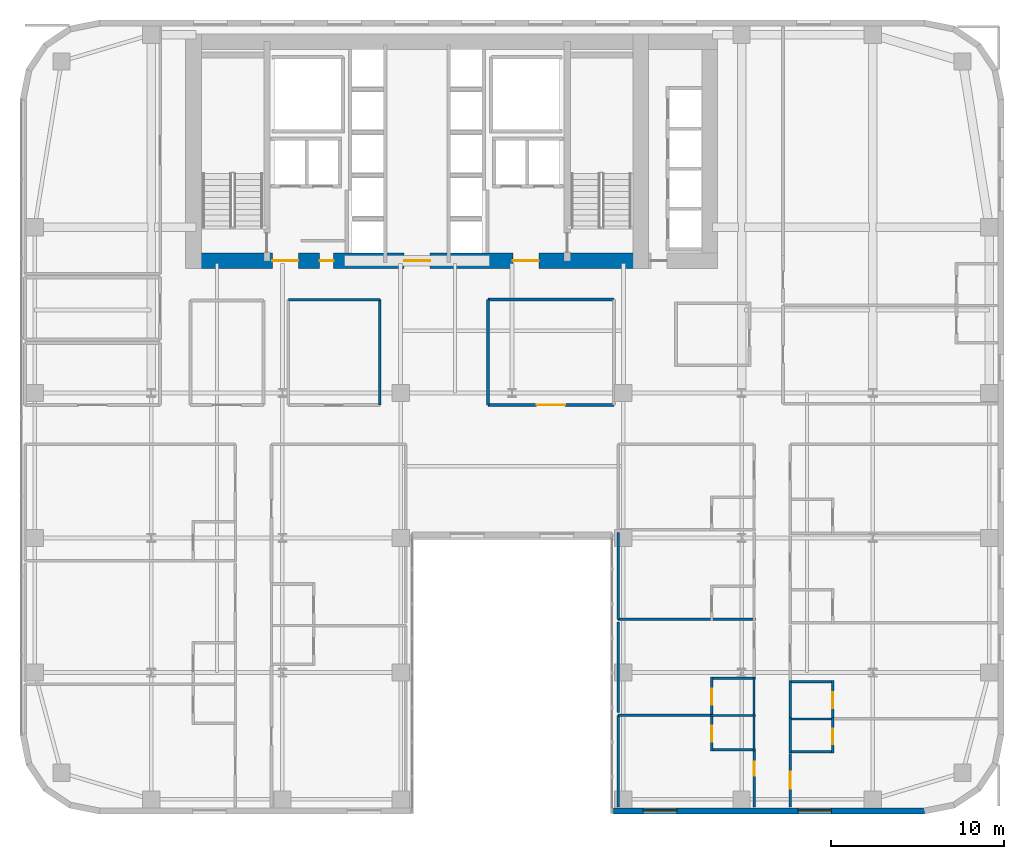
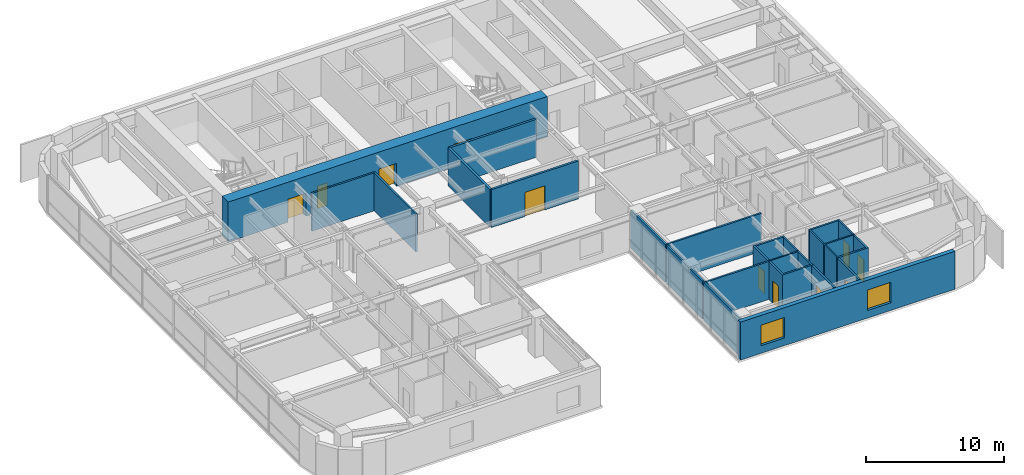
# One storey, part 25 of 30: 28 walls, 11 doors, 2 windows, 13 openings.
"""IFC4 building model written with IfcOpenShell, lengths in metres."""

from ifc_helpers import new_model, si_unit, direction, frame, frame_2d, origin, place, context, subcontext, project, spatial, rectangle, extrude, source, transform, mapped, material, layer, layer_set, type_object, type_shapes, element, fill, save


model = new_model("IFC4")

# Units and contexts
model_context = context("Model", 3, precision=1e-05, world=origin(), true_north=direction((0.0, 1.0)))
body_context = subcontext(model_context, "Body", "Model", "MODEL_VIEW")
ifc_project = project(units=[si_unit("LENGTHUNIT", "METRE"), si_unit("AREAUNIT", "SQUARE_METRE"), si_unit("VOLUMEUNIT", "CUBIC_METRE"), si_unit("PLANEANGLEUNIT", "RADIAN"), si_unit("MASSUNIT", "GRAM", prefix="KILO")], contexts=[model_context])

# Site, building, storey
site_placement = place(None, origin())
site = spatial("IfcSite", under=ifc_project, at=site_placement, CompositionType="ELEMENT")
building_placement = place(site_placement, origin())
building = spatial("IfcBuilding", under=site, at=building_placement, Name="Tolvann Quenvar Hotel", CompositionType="ELEMENT")
storey_placement = place(building_placement, frame((0.0, 0.0, 56.85009765625)))
storey = spatial("IfcBuildingStorey", under=building, at=storey_placement, Name="L13", CompositionType="ELEMENT", Elevation=56.85009765625)

# Wall, openings, doors
ifc_material_1 = material(Name="Concrete S80 (80 MPa)", Category="concrete")
ifc_layer_1 = layer(ifc_material_1, 0.89990234375)
ifc_layer_set_1 = layer_set([ifc_layer_1], Name="Concrete S80 (80 MPa)")
wall_type_1 = type_object("IfcWallType", Name="WALL_CORE_900", PredefinedType="SHEAR", material=ifc_layer_set_1)
wall_1_placement = place(storey_placement, frame((9.60009765625, 32.050048828125, 0.0), z_axis=(0.0, 0.0, 1.0), x_axis=(1.0, 0.0, 0.0)))
wall_1 = element("IfcWall", 1, at=wall_1_placement, inside=storey, type_object=wall_type_1, Name="Rear Core S Shear Wall (L13)", PredefinedType="SHEAR", context=body_context, shape_type="SweptSolid", body=[
    extrude(rectangle(XDim=26.7998046875, YDim=0.89990234375, at=frame_2d((13.39990234375, 0.0))), origin(), (0.0, 0.0, 1.0), 3.5498046875),
])
opening_1_placement = place(wall_1_placement, frame((6.52001953125, 0.0, 0.0), z_axis=(0.0, 0.0, 1.0), x_axis=(-1.0, 0.0, 0.0)))
opening_1 = element("IfcOpeningElement", 2, at=opening_1_placement, cuts=wall_1, Name="Opening FD-60D", PredefinedType="OPENING", context=body_context, shape_type="SweptSolid", body=[
    extrude(rectangle(XDim=1.5, YDim=2.0400390625, at=frame_2d((0.75, 1.02001953125))), frame((0.0, 0.4599609375, 0.0), z_axis=(0.0, -1.0, 0.0), x_axis=(1.0, 0.0, 0.0)), (0.0, 0.0, 1.0), 0.919921875),
])
opening_2_placement = place(wall_1_placement, frame((14.14990234375, 0.0, 0.0), z_axis=(0.0, 0.0, 1.0), x_axis=(-1.0, 0.0, 0.0)))
opening_2 = element("IfcOpeningElement", 3, at=opening_2_placement, cuts=wall_1, Name="Opening FD-60D", PredefinedType="OPENING", context=body_context, shape_type="SweptSolid", body=[
    extrude(rectangle(XDim=1.5, YDim=2.0400390625, at=frame_2d((0.75, 1.02001953125))), frame((0.0, 0.4599609375, 0.0), z_axis=(0.0, -1.0, 0.0), x_axis=(1.0, 0.0, 0.0)), (0.0, 0.0, 1.0), 0.919921875),
])
opening_3_placement = place(wall_1_placement, frame((20.449951171875, 0.0, 0.0), z_axis=(0.0, 0.0, 1.0), x_axis=(-1.0, 0.0, 0.0)))
opening_3 = element("IfcOpeningElement", 4, at=opening_3_placement, cuts=wall_1, Name="Opening FD-60D", PredefinedType="OPENING", context=body_context, shape_type="SweptSolid", body=[
    extrude(rectangle(XDim=1.5, YDim=2.0400390625, at=frame_2d((0.75, 1.02001953125))), frame((0.0, 0.4599609375, 0.0), z_axis=(0.0, -1.0, 0.0), x_axis=(1.0, 0.0, 0.0)), (0.0, 0.0, 1.0), 0.919921875),
])
opening_4_placement = place(wall_1_placement, frame((8.570068359375, 0.0, 0.0), z_axis=(0.0, 0.0, 1.0), x_axis=(-1.0, 0.0, 0.0)))
opening_4 = element("IfcOpeningElement", 5, at=opening_4_placement, cuts=wall_1, Name="Opening HD-02", PredefinedType="OPENING", context=body_context, shape_type="SweptSolid", body=[
    extrude(rectangle(XDim=0.820068359375, YDim=2.010009765625, at=frame_2d((0.41015625, 1.0048828125))), frame((0.0, 0.4599609375, 0.0), z_axis=(0.0, -1.0, 0.0), x_axis=(1.0, 0.0, 0.0)), (0.0, 0.0, 1.0), 0.919921875),
])
ifc_material_2 = material(Name="Solid-core American oak acoustic fire door leaf in steel frame", Category="steel")
door_type_1 = type_object("IfcDoorType", Name="DOOR_FIRE_LOBBY_1500", OperationType="NOTDEFINED", PredefinedType="DOOR", material=ifc_material_2)
shared_shape_1 = source(origin(), body_context, "Body", "SweptSolid", [
    extrude(rectangle(XDim=1.5, YDim=2.0400390625, at=frame_2d((0.75, 1.02001953125))), frame((0.0, 0.02490234375, 0.0), z_axis=(0.0, -1.0, 0.0), x_axis=(1.0, 0.0, 0.0)), (0.0, 0.0, 1.0), 0.050048828125),
])
type_shapes(door_type_1, [shared_shape_1])
door_1_placement = place(opening_1_placement, origin())
door_1 = element("IfcDoor", 6, at=door_1_placement, inside=storey, type_object=door_type_1, Name="Core Lobby Fire Door FFW (L13)", OperationType="DOUBLE_DOOR_SINGLE_SWING", OverallHeight=2.0400390625, OverallWidth=1.5, PredefinedType="DOOR", context=body_context, shape_type="MappedRepresentation", body=[
    mapped(shared_shape_1, transform((0.0, 0.0, 0.0), x_axis=(1.0, 0.0, 0.0), y_axis=(0.0, 1.0, 0.0), z_axis=(0.0, 0.0, 1.0), scale=1.0)),
])
fill(opening_1, door_1)
door_2_placement = place(opening_2_placement, origin())
door_2 = element("IfcDoor", 7, at=door_2_placement, inside=storey, type_object=door_type_1, Name="Core Lobby Fire Door CLOB (L13)", OperationType="DOUBLE_DOOR_SINGLE_SWING", OverallHeight=2.0400390625, OverallWidth=1.5, PredefinedType="DOOR", context=body_context, shape_type="MappedRepresentation", body=[
    mapped(shared_shape_1, transform((0.0, 0.0, 0.0), x_axis=(1.0, 0.0, 0.0), y_axis=(0.0, 1.0, 0.0), z_axis=(0.0, 0.0, 1.0), scale=1.0)),
])
fill(opening_2, door_2)
door_3_placement = place(opening_3_placement, origin())
door_3 = element("IfcDoor", 8, at=door_3_placement, inside=storey, type_object=door_type_1, Name="Core Lobby Fire Door FFE (L13)", OperationType="DOUBLE_DOOR_SINGLE_SWING", OverallHeight=2.0400390625, OverallWidth=1.5, PredefinedType="DOOR", context=body_context, shape_type="MappedRepresentation", body=[
    mapped(shared_shape_1, transform((0.0, 0.0, 0.0), x_axis=(1.0, 0.0, 0.0), y_axis=(0.0, 1.0, 0.0), z_axis=(0.0, 0.0, 1.0), scale=1.0)),
])
fill(opening_3, door_3)
ifc_material_3 = material(Name="Pressed galvanised steel fire-rated door set", Category="steel")
door_type_2 = type_object("IfcDoorType", Name="DOOR_STORE_820", OperationType="NOTDEFINED", PredefinedType="DOOR", material=ifc_material_3)
shared_shape_2 = source(origin(), body_context, "Body", "SweptSolid", [
    extrude(rectangle(XDim=0.820068359375, YDim=2.010009765625, at=frame_2d((0.41015625, 1.0048828125))), frame((0.0, 0.02490234375, 0.0), z_axis=(0.0, -1.0, 0.0), x_axis=(1.0, 0.0, 0.0)), (0.0, 0.0, 1.0), 0.050048828125),
])
type_shapes(door_type_2, [shared_shape_2])
door_4_placement = place(opening_4_placement, origin())
door_4 = element("IfcDoor", 9, at=door_4_placement, inside=storey, type_object=door_type_2, Name="Core Linen Store Fire Door (L13)", OperationType="SINGLE_SWING_LEFT", OverallHeight=2.010009765625, OverallWidth=0.820068359375, PredefinedType="DOOR", context=body_context, shape_type="MappedRepresentation", body=[
    mapped(shared_shape_2, transform((0.0, 0.0, 0.0), x_axis=(1.0, 0.0, 0.0), y_axis=(0.0, 1.0, 0.0), z_axis=(0.0, 0.0, 1.0), scale=1.0)),
])
fill(opening_4, door_4)

# Wall, openings, windows
ifc_material_4 = material(Name="Kiln-fired red and buff architectural clay brickwork and terracotta masonry", Category="masonry")
ifc_layer_2 = layer(ifc_material_4, 0.35009765625)
ifc_layer_set_2 = layer_set([ifc_layer_2], Name="Kiln-fired red and buff architectural clay brickwork and terracotta masonry")
wall_type_2 = type_object("IfcWallType", Name="WALL_EXT_BRICK_350", PredefinedType="SOLIDWALL", material=ifc_layer_set_2)
wall_2_placement = place(storey_placement, frame((34.375, 0.175048828125, 0.0), z_axis=(0.0, 0.0, 1.0), x_axis=(1.0, 0.0, 0.0)))
wall_2 = element("IfcWall", 10, at=wall_2_placement, inside=storey, type_object=wall_type_2, Name="Exterior Chicago Brick Wall L13-E08", PredefinedType="SOLIDWALL", context=body_context, shape_type="SweptSolid", body=[
    extrude(rectangle(XDim=18.0078125, YDim=0.35009765625, at=frame_2d((9.00390625, 0.0))), origin(), (0.0, 0.0, 1.0), 3.369873046875),
])
opening_5_placement = place(wall_2_placement, frame((1.72607421875, 0.0, 0.679931640625)))
opening_5 = element("IfcOpeningElement", 11, at=opening_5_placement, cuts=wall_2, Name="Opening W-10", PredefinedType="OPENING", context=body_context, shape_type="SweptSolid", body=[
    extrude(rectangle(XDim=1.949951171875, YDim=1.820068359375, at=frame_2d((0.97509765625, 0.91015625))), frame((0.0, 0.18505859375, 0.0), z_axis=(0.0, -1.0, 0.0), x_axis=(1.0, 0.0, 0.0)), (0.0, 0.0, 1.0), 0.3701171875),
])
opening_6_placement = place(wall_2_placement, frame((10.679931640625, 0.0, 0.679931640625)))
opening_6 = element("IfcOpeningElement", 12, at=opening_6_placement, cuts=wall_2, Name="Opening W-10", PredefinedType="OPENING", context=body_context, shape_type="SweptSolid", body=[
    extrude(rectangle(XDim=1.949951171875, YDim=1.820068359375, at=frame_2d((0.97509765625, 0.91015625))), frame((0.0, 0.18505859375, 0.0), z_axis=(0.0, -1.0, 0.0), x_axis=(1.0, 0.0, 0.0)), (0.0, 0.0, 1.0), 0.3701171875),
])
ifc_material_5 = material(Name="Thermally broken bronze-anodised aluminium frame with double low-E glazing", Category="aluminium")
window_type = type_object("IfcWindowType", Name="WIN_CLB_1950x1850", PartitioningType="DOUBLE_PANEL_VERTICAL", PredefinedType="WINDOW", material=ifc_material_5)
shared_shape_3 = source(origin(), body_context, "Body", "SweptSolid", [
    extrude(rectangle(XDim=1.949951171875, YDim=1.820068359375, at=frame_2d((0.97509765625, 0.91015625))), frame((0.0, 0.090087890625, 0.0), z_axis=(0.0, -1.0, 0.0), x_axis=(1.0, 0.0, 0.0)), (0.0, 0.0, 1.0), 0.06005859375),
])
type_shapes(window_type, [shared_shape_3])
window_1_placement = place(opening_5_placement, origin())
window_1 = element("IfcWindow", 13, at=window_1_placement, inside=storey, type_object=window_type, Name="Chicago Window W-10 (EW-L13-E08-W01)", OverallHeight=1.820068359375, OverallWidth=1.949951171875, PartitioningType="DOUBLE_PANEL_VERTICAL", PredefinedType="WINDOW", context=body_context, shape_type="MappedRepresentation", body=[
    mapped(shared_shape_3, transform((0.0, 0.0, 0.0), x_axis=(1.0, 0.0, 0.0), y_axis=(0.0, 1.0, 0.0), z_axis=(0.0, 0.0, 1.0), scale=1.0)),
])
fill(opening_5, window_1)
window_2_placement = place(opening_6_placement, origin())
window_2 = element("IfcWindow", 14, at=window_2_placement, inside=storey, type_object=window_type, Name="Chicago Window W-10 (EW-L13-E08-W02)", OverallHeight=1.820068359375, OverallWidth=1.949951171875, PartitioningType="DOUBLE_PANEL_VERTICAL", PredefinedType="WINDOW", context=body_context, shape_type="MappedRepresentation", body=[
    mapped(shared_shape_3, transform((0.0, 0.0, 0.0), x_axis=(1.0, 0.0, 0.0), y_axis=(0.0, 1.0, 0.0), z_axis=(0.0, 0.0, 1.0), scale=1.0)),
])
fill(opening_6, window_2)

# Wall, opening, door
ifc_material_6 = material(Name="Acoustic twin-stud fire-rated gypsum plasterboard partition")
ifc_layer_3 = layer(ifc_material_6, 0.179931640625)
ifc_layer_set_3 = layer_set([ifc_layer_3], Name="Acoustic twin-stud fire-rated gypsum plasterboard partition")
wall_type_3 = type_object("IfcWallType", Name="WALL_PART_ACOUSTIC_180", PredefinedType="PARTITIONING", material=ifc_layer_set_3)
wall_3_placement = place(storey_placement, frame((27.10009765625, 23.699951171875, 0.0), z_axis=(0.0, 0.0, 1.0), x_axis=(1.0, 0.0, 0.0)))
wall_3 = element("IfcWall", 15, at=wall_3_placement, inside=storey, type_object=wall_type_3, Name="Interior Partition PT-SPC-L13-MSP-C-S", PredefinedType="PARTITIONING", context=body_context, shape_type="SweptSolid", body=[
    extrude(rectangle(XDim=7.2998046875, YDim=0.179931640625, at=frame_2d((3.64990234375, 0.0))), origin(), (0.0, 0.0, 1.0), 3.369873046875),
])
opening_7_placement = place(wall_3_placement, frame((2.824951171875, 0.0, 0.0)))
opening_7 = element("IfcOpeningElement", 16, at=opening_7_placement, cuts=wall_3, Name="Opening AD-01", PredefinedType="OPENING", context=body_context, shape_type="SweptSolid", body=[
    extrude(rectangle(XDim=1.64990234375, YDim=2.14990234375, at=frame_2d((0.824951171875, 1.074951171875))), frame((0.0, 0.10009765625, 0.0), z_axis=(0.0, -1.0, 0.0), x_axis=(1.0, 0.0, 0.0)), (0.0, 0.0, 1.0), 0.199951171875),
])
door_type_3 = type_object("IfcDoorType", Name="DOOR_SALON_1650", OperationType="NOTDEFINED", PredefinedType="DOOR", material=ifc_material_2)
shared_shape_4 = source(origin(), body_context, "Body", "SweptSolid", [
    extrude(rectangle(XDim=1.64990234375, YDim=2.14990234375, at=frame_2d((0.824951171875, 1.074951171875))), frame((0.0, 0.02490234375, 0.0), z_axis=(0.0, -1.0, 0.0), x_axis=(1.0, 0.0, 0.0)), (0.0, 0.0, 1.0), 0.050048828125),
])
type_shapes(door_type_3, [shared_shape_4])
door_5_placement = place(opening_7_placement, origin())
door_5 = element("IfcDoor", 17, at=door_5_placement, inside=storey, type_object=door_type_3, Name="Interior Door DOOR-SPC-L13-MSP-C", OperationType="DOUBLE_DOOR_SINGLE_SWING", OverallHeight=2.14990234375, OverallWidth=1.64990234375, PredefinedType="DOOR", context=body_context, shape_type="MappedRepresentation", body=[
    mapped(shared_shape_4, transform((0.0, 0.0, 0.0), x_axis=(1.0, 0.0, 0.0), y_axis=(0.0, 1.0, 0.0), z_axis=(0.0, 0.0, 1.0), scale=1.0)),
])
fill(opening_7, door_5)

# Walls
wall_4_placement = place(storey_placement, frame((27.10009765625, 29.800048828125, 0.0), z_axis=(0.0, 0.0, 1.0), x_axis=(1.0, 0.0, 0.0)))
element("IfcWall", 18, at=wall_4_placement, inside=storey, type_object=wall_type_3, Name="Interior Partition PT-SPC-L13-MSP-C-N", PredefinedType="PARTITIONING", context=body_context, shape_type="SweptSolid", body=[
    extrude(rectangle(XDim=7.2998046875, YDim=0.179931640625, at=frame_2d((3.64990234375, 0.0))), origin(), (0.0, 0.0, 1.0), 3.369873046875),
])
wall_5_placement = place(storey_placement, frame((27.10009765625, 23.699951171875, 0.0), z_axis=(0.0, 0.0, 1.0), x_axis=(0.0, 1.0, 0.0)))
element("IfcWall", 19, at=wall_5_placement, inside=storey, type_object=wall_type_3, Name="Interior Partition PT-SPC-L13-MSP-C-W", PredefinedType="PARTITIONING", context=body_context, shape_type="SweptSolid", body=[
    extrude(rectangle(XDim=6.10009765625, YDim=0.179931640625, at=frame_2d((3.050048828125, 0.0))), origin(), (0.0, 0.0, 1.0), 3.369873046875),
])
ifc_material_7 = material(Name="Moisture-resistant acoustic plumbing wall assembly")
ifc_layer_4 = layer(ifc_material_7, 0.1201171875)
ifc_layer_set_4 = layer_set([ifc_layer_4], Name="Moisture-resistant acoustic plumbing wall assembly")
wall_type_4 = type_object("IfcWallType", Name="WALL_PART_BATH_120", PredefinedType="PLUMBINGWALL", material=ifc_layer_set_4)
wall_6_placement = place(storey_placement, frame((40.010009765625, 5.719970703125, 0.0), z_axis=(0.0, 0.0, 1.0), x_axis=(1.0, 0.0, 0.0)))
element("IfcWall", 20, at=wall_6_placement, inside=storey, type_object=wall_type_4, Name="Non-Rated Plumbing Partition PT-SPC-L13-ENS-EI01-N", PredefinedType="PLUMBINGWALL", context=body_context, shape_type="SweptSolid", body=[
    extrude(rectangle(XDim=2.590087890625, YDim=0.1201171875, at=frame_2d((1.294921875, 0.0))), origin(), (0.0, 0.0, 1.0), 3.369873046875),
])
wall_7_placement = place(storey_placement, frame((42.530029296875, 3.658935546875, 0.0), z_axis=(0.0, 0.0, 1.0), x_axis=(0.0, 1.0, 0.0)))
element("IfcWall", 21, at=wall_7_placement, inside=storey, type_object=wall_type_4, Name="Non-Rated Plumbing Partition PT-SPC-L13-ENS-EI01-E", PredefinedType="PLUMBINGWALL", context=body_context, shape_type="SweptSolid", body=[
    extrude(rectangle(XDim=2.131103515625, YDim=0.1201171875, at=frame_2d((1.0654296875, 0.0))), origin(), (0.0, 0.0, 1.0), 3.369873046875),
])
wall_8_placement = place(storey_placement, frame((42.530029296875, 5.81005859375, 0.0), z_axis=(0.0, 0.0, 1.0), x_axis=(0.0, 1.0, 0.0)))
element("IfcWall", 22, at=wall_8_placement, inside=storey, type_object=wall_type_4, Name="Non-Rated Plumbing Partition PT-SPC-L13-ENS-EI02-E", PredefinedType="PLUMBINGWALL", context=body_context, shape_type="SweptSolid", body=[
    extrude(rectangle(XDim=2.130859375, YDim=0.1201171875, at=frame_2d((1.0654296875, 0.0))), origin(), (0.0, 0.0, 1.0), 3.369873046875),
])
wall_9_placement = place(storey_placement, frame((44.550048828125, 5.52001953125, 0.0), z_axis=(0.0, 0.0, 1.0), x_axis=(1.0, 0.0, 0.0)))
element("IfcWall", 23, at=wall_9_placement, inside=storey, type_object=wall_type_4, Name="Non-Rated Plumbing Partition PT-SPC-L13-ENS-EO01-N", PredefinedType="PLUMBINGWALL", context=body_context, shape_type="SweptSolid", body=[
    extrude(rectangle(XDim=2.58984375, YDim=0.1201171875, at=frame_2d((1.294921875, 0.0))), origin(), (0.0, 0.0, 1.0), 3.369873046875),
])
wall_10_placement = place(storey_placement, frame((44.6201171875, 3.534912109375, 0.0), z_axis=(0.0, 0.0, 1.0), x_axis=(0.0, 1.0, 0.0)))
element("IfcWall", 24, at=wall_10_placement, inside=storey, type_object=wall_type_4, Name="Non-Rated Plumbing Partition PT-SPC-L13-ENS-EO01-W", PredefinedType="PLUMBINGWALL", context=body_context, shape_type="SweptSolid", body=[
    extrude(rectangle(XDim=2.05517578125, YDim=0.1201171875, at=frame_2d((1.027587890625, 0.0))), origin(), (0.0, 0.0, 1.0), 3.369873046875),
])
wall_11_placement = place(storey_placement, frame((44.6201171875, 5.610107421875, 0.0), z_axis=(0.0, 0.0, 1.0), x_axis=(0.0, 1.0, 0.0)))
element("IfcWall", 25, at=wall_11_placement, inside=storey, type_object=wall_type_4, Name="Non-Rated Plumbing Partition PT-SPC-L13-ENS-EO02-W", PredefinedType="PLUMBINGWALL", context=body_context, shape_type="SweptSolid", body=[
    extrude(rectangle(XDim=2.130859375, YDim=0.1201171875, at=frame_2d((1.0654296875, 0.0))), origin(), (0.0, 0.0, 1.0), 3.369873046875),
])

# Wall, opening, door
ifc_layer_5 = layer(ifc_material_6, 0.14990234375)
ifc_layer_set_5 = layer_set([ifc_layer_5], Name="Acoustic twin-stud fire-rated gypsum plasterboard partition")
wall_type_5 = type_object("IfcWallType", Name="WALL_PART_SUITE_150", PredefinedType="PARTITIONING", material=ifc_layer_set_5)
wall_12_placement = place(storey_placement, frame((40.080078125, 3.658935546875, 0.0), z_axis=(0.0, 0.0, 1.0), x_axis=(0.0, 1.0, 0.0)))
wall_12 = element("IfcWall", 26, at=wall_12_placement, inside=storey, type_object=wall_type_5, Name="Interior Partition PT-SPC-L13-ENS-EI01-ENT", PredefinedType="PARTITIONING", context=body_context, shape_type="SweptSolid", body=[
    extrude(rectangle(XDim=2.131103515625, YDim=0.14990234375, at=frame_2d((1.0654296875, 0.0))), origin(), (0.0, 0.0, 1.0), 3.369873046875),
])
opening_8_placement = place(wall_12_placement, frame((0.535400390625, 0.0, 0.0)))
opening_8 = element("IfcOpeningElement", 27, at=opening_8_placement, cuts=wall_12, Name="Opening WD-01", PredefinedType="OPENING", context=body_context, shape_type="SweptSolid", body=[
    extrude(rectangle(XDim=0.919921875, YDim=2.010009765625, at=frame_2d((0.4599609375, 1.0048828125))), frame((0.0, 0.0849609375, 0.0), z_axis=(0.0, -1.0, 0.0), x_axis=(1.0, 0.0, 0.0)), (0.0, 0.0, 1.0), 0.169921875),
])
door_type_4 = type_object("IfcDoorType", Name="DOOR_WC_920", OperationType="NOTDEFINED", PredefinedType="DOOR", material=ifc_material_2)
shared_shape_5 = source(origin(), body_context, "Body", "SweptSolid", [
    extrude(rectangle(XDim=0.919921875, YDim=2.010009765625, at=frame_2d((0.4599609375, 1.0048828125))), frame((0.0, 0.02490234375, 0.0), z_axis=(0.0, -1.0, 0.0), x_axis=(1.0, 0.0, 0.0)), (0.0, 0.0, 1.0), 0.050048828125),
])
type_shapes(door_type_4, [shared_shape_5])
door_6_placement = place(opening_8_placement, origin())
door_6 = element("IfcDoor", 28, at=door_6_placement, inside=storey, type_object=door_type_4, Name="Interior Door DOOR-SPC-L13-ENS-EI01", OperationType="SINGLE_SWING_LEFT", OverallHeight=2.010009765625, OverallWidth=0.919921875, PredefinedType="DOOR", context=body_context, shape_type="MappedRepresentation", body=[
    mapped(shared_shape_5, transform((0.0, 0.0, 0.0), x_axis=(1.0, 0.0, 0.0), y_axis=(0.0, 1.0, 0.0), z_axis=(0.0, 0.0, 1.0), scale=1.0)),
])
fill(opening_8, door_6)

# Wall
wall_13_placement = place(storey_placement, frame((40.010009765625, 3.72900390625, 0.0), z_axis=(0.0, 0.0, 1.0), x_axis=(1.0, 0.0, 0.0)))
element("IfcWall", 29, at=wall_13_placement, inside=storey, type_object=wall_type_5, Name="Interior Partition PT-SPC-L13-ENS-EI01-S", PredefinedType="PARTITIONING", context=body_context, shape_type="SweptSolid", body=[
    extrude(rectangle(XDim=2.590087890625, YDim=0.14990234375, at=frame_2d((1.294921875, 0.0))), origin(), (0.0, 0.0, 1.0), 3.369873046875),
])

# Wall, opening, door
wall_14_placement = place(storey_placement, frame((40.080078125, 5.81005859375, 0.0), z_axis=(0.0, 0.0, 1.0), x_axis=(0.0, 1.0, 0.0)))
wall_14 = element("IfcWall", 30, at=wall_14_placement, inside=storey, type_object=wall_type_5, Name="Interior Partition PT-SPC-L13-ENS-EI02-ENT", PredefinedType="PARTITIONING", context=body_context, shape_type="SweptSolid", body=[
    extrude(rectangle(XDim=2.130859375, YDim=0.14990234375, at=frame_2d((1.0654296875, 0.0))), origin(), (0.0, 0.0, 1.0), 3.369873046875),
])
opening_9_placement = place(wall_14_placement, frame((0.535400390625, 0.0, 0.0)))
opening_9 = element("IfcOpeningElement", 31, at=opening_9_placement, cuts=wall_14, Name="Opening WD-01", PredefinedType="OPENING", context=body_context, shape_type="SweptSolid", body=[
    extrude(rectangle(XDim=0.919921875, YDim=2.010009765625, at=frame_2d((0.4599609375, 1.0048828125))), frame((0.0, 0.0849609375, 0.0), z_axis=(0.0, -1.0, 0.0), x_axis=(1.0, 0.0, 0.0)), (0.0, 0.0, 1.0), 0.169921875),
])
door_7_placement = place(opening_9_placement, origin())
door_7 = element("IfcDoor", 32, at=door_7_placement, inside=storey, type_object=door_type_4, Name="Interior Door DOOR-SPC-L13-ENS-EI02", OperationType="SINGLE_SWING_RIGHT", OverallHeight=2.010009765625, OverallWidth=0.919921875, PredefinedType="DOOR", context=body_context, shape_type="MappedRepresentation", body=[
    mapped(shared_shape_5, transform((0.0, 0.0, 0.0), x_axis=(1.0, 0.0, 0.0), y_axis=(0.0, 1.0, 0.0), z_axis=(0.0, 0.0, 1.0), scale=1.0)),
])
fill(opening_9, door_7)

# Walls
wall_15_placement = place(storey_placement, frame((40.010009765625, 7.87109375, 0.0), z_axis=(0.0, 0.0, 1.0), x_axis=(1.0, 0.0, 0.0)))
element("IfcWall", 33, at=wall_15_placement, inside=storey, type_object=wall_type_5, Name="Interior Partition PT-SPC-L13-ENS-EI02-N", PredefinedType="PARTITIONING", context=body_context, shape_type="SweptSolid", body=[
    extrude(rectangle(XDim=2.590087890625, YDim=0.14990234375, at=frame_2d((1.294921875, 0.0))), origin(), (0.0, 0.0, 1.0), 3.369873046875),
])
wall_16_placement = place(storey_placement, frame((34.64990234375, 11.280029296875, 0.0), z_axis=(0.0, 0.0, 1.0), x_axis=(1.0, 0.0, 0.0)))
element("IfcWall", 34, at=wall_16_placement, inside=storey, type_object=wall_type_5, Name="Interior Partition PT-SPC-L13-ENS-EI03-S", PredefinedType="PARTITIONING", context=body_context, shape_type="SweptSolid", body=[
    extrude(rectangle(XDim=7.9501953125, YDim=0.14990234375, at=frame_2d((3.97509765625, 0.0))), origin(), (0.0, 0.0, 1.0), 3.369873046875),
])

# Wall, opening, door
wall_17_placement = place(storey_placement, frame((47.070068359375, 3.534912109375, 0.0), z_axis=(0.0, 0.0, 1.0), x_axis=(0.0, 1.0, 0.0)))
wall_17 = element("IfcWall", 35, at=wall_17_placement, inside=storey, type_object=wall_type_5, Name="Interior Partition PT-SPC-L13-ENS-EO01-ENT", PredefinedType="PARTITIONING", context=body_context, shape_type="SweptSolid", body=[
    extrude(rectangle(XDim=2.05517578125, YDim=0.14990234375, at=frame_2d((1.027587890625, 0.0))), origin(), (0.0, 0.0, 1.0), 3.369873046875),
])
opening_10_placement = place(wall_17_placement, frame((0.49755859375, 0.0, 0.0)))
opening_10 = element("IfcOpeningElement", 36, at=opening_10_placement, cuts=wall_17, Name="Opening WD-01", PredefinedType="OPENING", context=body_context, shape_type="SweptSolid", body=[
    extrude(rectangle(XDim=0.919921875, YDim=2.010009765625, at=frame_2d((0.4599609375, 1.0048828125))), frame((0.0, 0.0849609375, 0.0), z_axis=(0.0, -1.0, 0.0), x_axis=(1.0, 0.0, 0.0)), (0.0, 0.0, 1.0), 0.169921875),
])
door_8_placement = place(opening_10_placement, origin())
door_8 = element("IfcDoor", 37, at=door_8_placement, inside=storey, type_object=door_type_4, Name="Interior Door DOOR-SPC-L13-ENS-EO01", OperationType="SINGLE_SWING_LEFT", OverallHeight=2.010009765625, OverallWidth=0.919921875, PredefinedType="DOOR", context=body_context, shape_type="MappedRepresentation", body=[
    mapped(shared_shape_5, transform((0.0, 0.0, 0.0), x_axis=(1.0, 0.0, 0.0), y_axis=(0.0, 1.0, 0.0), z_axis=(0.0, 0.0, 1.0), scale=1.0)),
])
fill(opening_10, door_8)

# Wall
wall_18_placement = place(storey_placement, frame((44.550048828125, 3.60498046875, 0.0), z_axis=(0.0, 0.0, 1.0), x_axis=(1.0, 0.0, 0.0)))
element("IfcWall", 38, at=wall_18_placement, inside=storey, type_object=wall_type_5, Name="Interior Partition PT-SPC-L13-ENS-EO01-S", PredefinedType="PARTITIONING", context=body_context, shape_type="SweptSolid", body=[
    extrude(rectangle(XDim=2.58984375, YDim=0.14990234375, at=frame_2d((1.294921875, 0.0))), origin(), (0.0, 0.0, 1.0), 3.369873046875),
])

# Wall, opening, door
wall_19_placement = place(storey_placement, frame((47.070068359375, 5.610107421875, 0.0), z_axis=(0.0, 0.0, 1.0), x_axis=(0.0, 1.0, 0.0)))
wall_19 = element("IfcWall", 39, at=wall_19_placement, inside=storey, type_object=wall_type_5, Name="Interior Partition PT-SPC-L13-ENS-EO02-ENT", PredefinedType="PARTITIONING", context=body_context, shape_type="SweptSolid", body=[
    extrude(rectangle(XDim=2.130859375, YDim=0.14990234375, at=frame_2d((1.0654296875, 0.0))), origin(), (0.0, 0.0, 1.0), 3.369873046875),
])
opening_11_placement = place(wall_19_placement, frame((0.535400390625, 0.0, 0.0)))
opening_11 = element("IfcOpeningElement", 40, at=opening_11_placement, cuts=wall_19, Name="Opening WD-01", PredefinedType="OPENING", context=body_context, shape_type="SweptSolid", body=[
    extrude(rectangle(XDim=0.919921875, YDim=2.010009765625, at=frame_2d((0.4599609375, 1.0048828125))), frame((0.0, 0.0849609375, 0.0), z_axis=(0.0, -1.0, 0.0), x_axis=(1.0, 0.0, 0.0)), (0.0, 0.0, 1.0), 0.169921875),
])
door_9_placement = place(opening_11_placement, origin())
door_9 = element("IfcDoor", 41, at=door_9_placement, inside=storey, type_object=door_type_4, Name="Interior Door DOOR-SPC-L13-ENS-EO02", OperationType="SINGLE_SWING_RIGHT", OverallHeight=2.010009765625, OverallWidth=0.919921875, PredefinedType="DOOR", context=body_context, shape_type="MappedRepresentation", body=[
    mapped(shared_shape_5, transform((0.0, 0.0, 0.0), x_axis=(1.0, 0.0, 0.0), y_axis=(0.0, 1.0, 0.0), z_axis=(0.0, 0.0, 1.0), scale=1.0)),
])
fill(opening_11, door_9)

# Wall
wall_20_placement = place(storey_placement, frame((44.550048828125, 7.6708984375, 0.0), z_axis=(0.0, 0.0, 1.0), x_axis=(1.0, 0.0, 0.0)))
element("IfcWall", 42, at=wall_20_placement, inside=storey, type_object=wall_type_5, Name="Interior Partition PT-SPC-L13-ENS-EO02-N", PredefinedType="PARTITIONING", context=body_context, shape_type="SweptSolid", body=[
    extrude(rectangle(XDim=2.58984375, YDim=0.14990234375, at=frame_2d((1.294921875, 0.0))), origin(), (0.0, 0.0, 1.0), 3.369873046875),
])

# Wall, opening, door
wall_21_placement = place(storey_placement, frame((42.530029296875, 0.405029296875, 0.0), z_axis=(0.0, 0.0, 1.0), x_axis=(0.0, 1.0, 0.0)))
wall_21 = element("IfcWall", 43, at=wall_21_placement, inside=storey, type_object=wall_type_5, Name="Interior Partition PT-SPC-L13-RM-EI01-ENT", PredefinedType="PARTITIONING", context=body_context, shape_type="SweptSolid", body=[
    extrude(rectangle(XDim=3.243896484375, YDim=0.14990234375, at=frame_2d((1.6220703125, 0.0))), origin(), (0.0, 0.0, 1.0), 3.369873046875),
])
opening_12_placement = place(wall_21_placement, frame((1.819580078125, 0.0, 0.0)))
opening_12 = element("IfcOpeningElement", 44, at=opening_12_placement, cuts=wall_21, Name="Opening HD-02", PredefinedType="OPENING", context=body_context, shape_type="SweptSolid", body=[
    extrude(rectangle(XDim=0.820068359375, YDim=2.010009765625, at=frame_2d((0.41015625, 1.0048828125))), frame((0.0, 0.0849609375, 0.0), z_axis=(0.0, -1.0, 0.0), x_axis=(1.0, 0.0, 0.0)), (0.0, 0.0, 1.0), 0.169921875),
])
door_10_placement = place(opening_12_placement, origin())
door_10 = element("IfcDoor", 45, at=door_10_placement, inside=storey, type_object=door_type_2, Name="Interior Door DOOR-SPC-L13-RM-EI01", OperationType="SINGLE_SWING_RIGHT", OverallHeight=2.010009765625, OverallWidth=0.820068359375, PredefinedType="DOOR", context=body_context, shape_type="MappedRepresentation", body=[
    mapped(shared_shape_2, transform((0.0, 0.0, 0.0), x_axis=(1.0, 0.0, 0.0), y_axis=(0.0, 1.0, 0.0), z_axis=(0.0, 0.0, 1.0), scale=1.0)),
])
fill(opening_12, door_10)

# Walls
wall_22_placement = place(storey_placement, frame((34.64990234375, 5.719970703125, 0.0), z_axis=(0.0, 0.0, 1.0), x_axis=(1.0, 0.0, 0.0)))
element("IfcWall", 46, at=wall_22_placement, inside=storey, type_object=wall_type_5, Name="Interior Partition PT-SPC-L13-RM-EI01-E5", PredefinedType="PARTITIONING", context=body_context, shape_type="SweptSolid", body=[
    extrude(rectangle(XDim=5.41015625, YDim=0.14990234375, at=frame_2d((2.705078125, 0.0))), origin(), (0.0, 0.0, 1.0), 3.369873046875),
])
wall_23_placement = place(storey_placement, frame((34.64990234375, 0.405029296875, 0.0), z_axis=(0.0, 0.0, 1.0), x_axis=(0.0, 1.0, 0.0)))
element("IfcWall", 47, at=wall_23_placement, inside=storey, type_object=wall_type_5, Name="Interior Partition PT-SPC-L13-RM-EI01-E6", PredefinedType="PARTITIONING", context=body_context, shape_type="SweptSolid", body=[
    extrude(rectangle(XDim=5.31494140625, YDim=0.14990234375, at=frame_2d((2.657470703125, 0.0))), origin(), (0.0, 0.0, 1.0), 3.369873046875),
])
wall_24_placement = place(storey_placement, frame((34.64990234375, 5.8798828125, 0.0), z_axis=(0.0, 0.0, 1.0), x_axis=(0.0, 1.0, 0.0)))
element("IfcWall", 48, at=wall_24_placement, inside=storey, type_object=wall_type_5, Name="Interior Partition PT-SPC-L13-RM-EI02-E6", PredefinedType="PARTITIONING", context=body_context, shape_type="SweptSolid", body=[
    extrude(rectangle(XDim=5.240234375, YDim=0.14990234375, at=frame_2d((2.6201171875, 0.0))), origin(), (0.0, 0.0, 1.0), 3.369873046875),
])
wall_25_placement = place(storey_placement, frame((34.64990234375, 11.280029296875, 0.0), z_axis=(0.0, 0.0, 1.0), x_axis=(0.0, 1.0, 0.0)))
element("IfcWall", 49, at=wall_25_placement, inside=storey, type_object=wall_type_5, Name="Interior Partition PT-SPC-L13-RM-EI03-E6", PredefinedType="PARTITIONING", context=body_context, shape_type="SweptSolid", body=[
    extrude(rectangle(XDim=5.0400390625, YDim=0.14990234375, at=frame_2d((2.52001953125, 0.0))), origin(), (0.0, 0.0, 1.0), 3.369873046875),
])

# Wall, opening, door
wall_26_placement = place(storey_placement, frame((44.6201171875, 0.405029296875, 0.0), z_axis=(0.0, 0.0, 1.0), x_axis=(0.0, 1.0, 0.0)))
wall_26 = element("IfcWall", 50, at=wall_26_placement, inside=storey, type_object=wall_type_5, Name="Interior Partition PT-SPC-L13-RM-EO01-ENT", PredefinedType="PARTITIONING", context=body_context, shape_type="SweptSolid", body=[
    extrude(rectangle(XDim=3.119873046875, YDim=0.14990234375, at=frame_2d((1.56005859375, 0.0))), origin(), (0.0, 0.0, 1.0), 3.369873046875),
])
opening_13_placement = place(wall_26_placement, frame((1.077392578125, 0.0, 0.0)))
opening_13 = element("IfcOpeningElement", 51, at=opening_13_placement, cuts=wall_26, Name="Opening SD-01", PredefinedType="OPENING", context=body_context, shape_type="SweptSolid", body=[
    extrude(rectangle(XDim=0.97998046875, YDim=2.1201171875, at=frame_2d((0.489990234375, 1.06005859375))), frame((0.0, 0.0849609375, 0.0), z_axis=(0.0, -1.0, 0.0), x_axis=(1.0, 0.0, 0.0)), (0.0, 0.0, 1.0), 0.169921875),
])
door_type_5 = type_object("IfcDoorType", Name="DOOR_SUITE_980", OperationType="NOTDEFINED", PredefinedType="DOOR", material=ifc_material_2)
shared_shape_6 = source(origin(), body_context, "Body", "SweptSolid", [
    extrude(rectangle(XDim=0.97998046875, YDim=2.1201171875, at=frame_2d((0.489990234375, 1.06005859375))), frame((0.0, 0.02490234375, 0.0), z_axis=(0.0, -1.0, 0.0), x_axis=(1.0, 0.0, 0.0)), (0.0, 0.0, 1.0), 0.050048828125),
])
type_shapes(door_type_5, [shared_shape_6])
door_11_placement = place(opening_13_placement, origin())
door_11 = element("IfcDoor", 52, at=door_11_placement, inside=storey, type_object=door_type_5, Name="Interior Door DOOR-SPC-L13-RM-EO01", OperationType="SINGLE_SWING_RIGHT", OverallHeight=2.1201171875, OverallWidth=0.97998046875, PredefinedType="DOOR", context=body_context, shape_type="MappedRepresentation", body=[
    mapped(shared_shape_6, transform((0.0, 0.0, 0.0), x_axis=(1.0, 0.0, 0.0), y_axis=(0.0, 1.0, 0.0), z_axis=(0.0, 0.0, 1.0), scale=1.0)),
])
fill(opening_13, door_11)

# Walls
wall_27_placement = place(storey_placement, frame((15.550048828125, 29.800048828125, 0.0), z_axis=(0.0, 0.0, 1.0), x_axis=(1.0, 0.0, 0.0)))
element("IfcWall", 53, at=wall_27_placement, inside=storey, type_object=wall_type_5, Name="Interior Partition PT-SPC-L13-MSP-N-N", PredefinedType="PARTITIONING", context=body_context, shape_type="SweptSolid", body=[
    extrude(rectangle(XDim=5.300048828125, YDim=0.14990234375, at=frame_2d((2.64990234375, 0.0))), origin(), (0.0, 0.0, 1.0), 3.369873046875),
])
wall_28_placement = place(storey_placement, frame((20.85009765625, 23.699951171875, 0.0), z_axis=(0.0, 0.0, 1.0), x_axis=(0.0, 1.0, 0.0)))
element("IfcWall", 54, at=wall_28_placement, inside=storey, type_object=wall_type_5, Name="Interior Partition PT-SPC-L13-MSP-N-E", PredefinedType="PARTITIONING", context=body_context, shape_type="SweptSolid", body=[
    extrude(rectangle(XDim=6.10009765625, YDim=0.14990234375, at=frame_2d((3.050048828125, 0.0))), origin(), (0.0, 0.0, 1.0), 3.369873046875),
])

save(model, "model.ifc")
